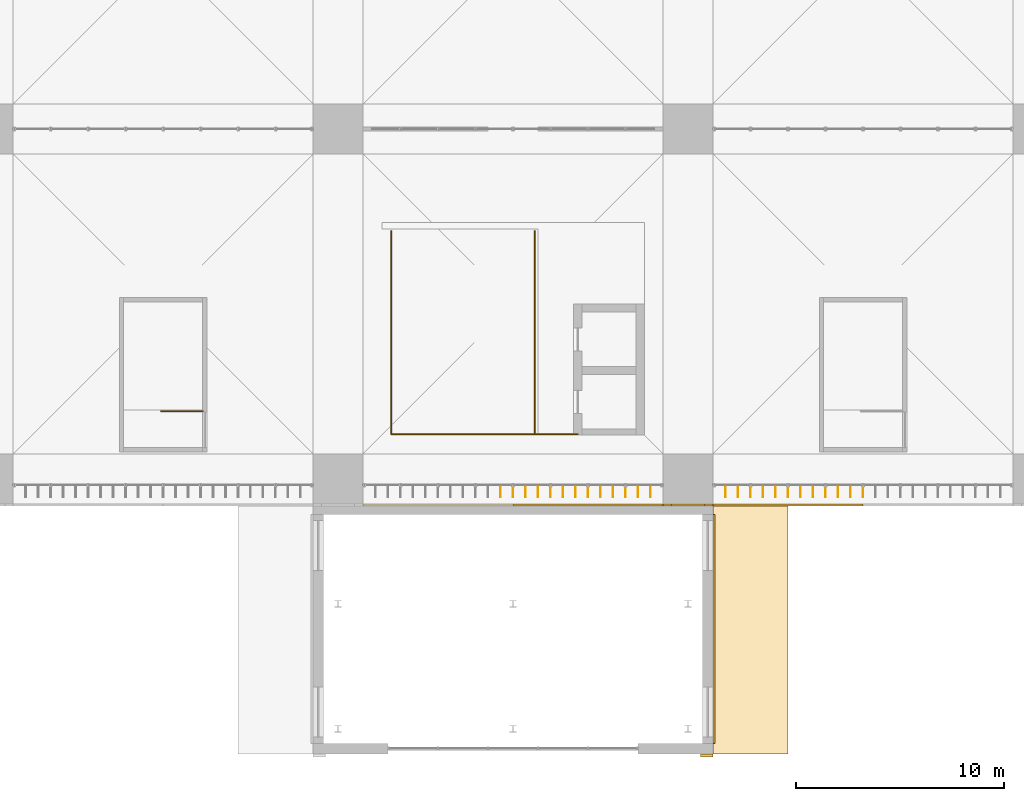
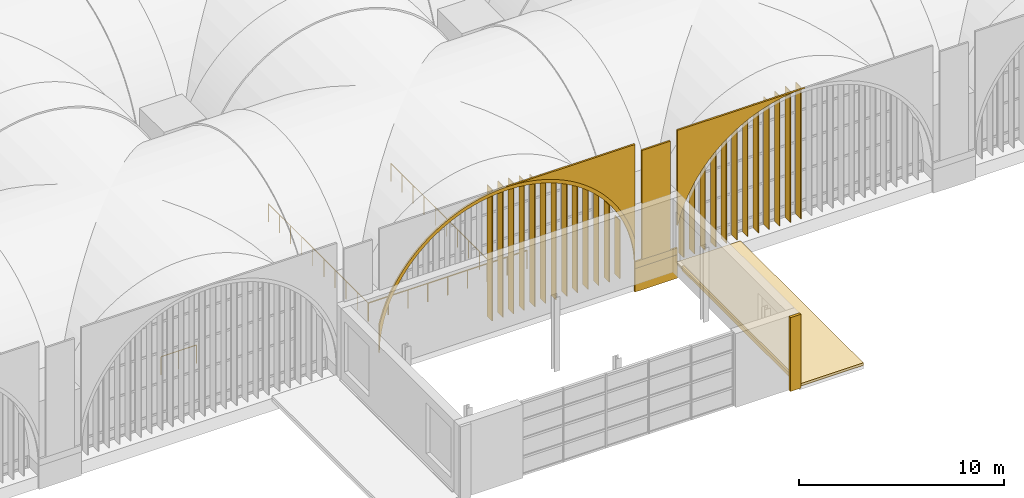
# One storey, part 154 of 169: 25 shading devices, 9 coverings, 4 railings.
"""IFC4 building model written with IfcOpenShell, lengths in metres."""

from ifc_helpers import new_model, si_unit, direction, frame, origin, origin_2d, place, context, subcontext, project, spatial, polyline, rectangle, circle, outline, extrude, material, layer, layer_set, type_object, element, save


model = new_model("IFC4")

# Units and contexts
model_context = context("Model", 3, precision=1e-05, world=origin(), true_north=direction((0.0, 1.0)))
body_context = subcontext(model_context, "Body", "Model", "MODEL_VIEW")
ifc_project = project(units=[si_unit("LENGTHUNIT", "METRE"), si_unit("AREAUNIT", "SQUARE_METRE"), si_unit("VOLUMEUNIT", "CUBIC_METRE"), si_unit("PLANEANGLEUNIT", "RADIAN"), si_unit("MASSUNIT", "GRAM", prefix="KILO")], contexts=[model_context])

# Site, building, storey
site_placement = place(None, origin())
site = spatial("IfcSite", under=ifc_project, at=site_placement, CompositionType="ELEMENT")
building_placement = place(site_placement, origin())
building = spatial("IfcBuilding", under=site, at=building_placement, Name="Verrick Yard Athletic Hall", CompositionType="ELEMENT")
storey_placement = place(building_placement, frame((0.0, 0.0, 4.39990234375)))
storey = spatial("IfcBuildingStorey", under=building, at=storey_placement, Name="L01", CompositionType="ELEMENT", Elevation=4.39990234375)

# Shading devices
ifc_material_1 = material(Name="Anodised aluminium", Category="aluminium")
ifc_layer_1 = layer(ifc_material_1, 0.0400390625)
ifc_layer_set_1 = layer_set([ifc_layer_1], Name="Arcade fin")
shading_device_type = type_object("IfcShadingDeviceType", Name="Arcade fin", PredefinedType="USERDEFINED", material=ifc_layer_set_1)
shading_device_1_placement = place(storey_placement, frame((98.199951171875, 18.82373046875, 0.0), z_axis=(0.0, 0.0, 1.0), x_axis=(0.0, -1.0, 0.0)))
element("IfcShadingDevice", 1, at=shading_device_1_placement, inside=storey, type_object=shading_device_type, Name="Fin RS4.11", ObjectType="FIN", PredefinedType="USERDEFINED", context=body_context, shape_type="SweptSolid", body=[
    extrude(outline(polyline([(0.0, 0.0), (0.5, 0.0), (0.5, 7.82275390625), (0.0, 7.82275390625), (0.0, 0.0)])), frame((0.0, 0.02001953125, 0.0), z_axis=(0.0, -1.0, 0.0), x_axis=(1.0, 0.0, 0.0)), (0.0, 0.0, 1.0), 0.0400390625),
])
shading_device_2_placement = place(storey_placement, frame((98.800048828125, 18.82373046875, 0.0), z_axis=(0.0, 0.0, 1.0), x_axis=(0.0, -1.0, 0.0)))
element("IfcShadingDevice", 2, at=shading_device_2_placement, inside=storey, type_object=shading_device_type, Name="Fin RS4.12", ObjectType="FIN", PredefinedType="USERDEFINED", context=body_context, shape_type="SweptSolid", body=[
    extrude(outline(polyline([(0.0, 0.0), (0.5, 0.0), (0.5, 7.84912109375), (0.0, 7.84912109375), (0.0, 0.0)])), frame((0.0, 0.02001953125, 0.0), z_axis=(0.0, -1.0, 0.0), x_axis=(1.0, 0.0, 0.0)), (0.0, 0.0, 1.0), 0.0400390625),
])
shading_device_3_placement = place(storey_placement, frame((99.39990234375, 18.82373046875, 0.0), z_axis=(0.0, 0.0, 1.0), x_axis=(0.0, -1.0, 0.0)))
element("IfcShadingDevice", 3, at=shading_device_3_placement, inside=storey, type_object=shading_device_type, Name="Fin RS4.13", ObjectType="FIN", PredefinedType="USERDEFINED", context=body_context, shape_type="SweptSolid", body=[
    extrude(outline(polyline([(0.0, 0.0), (0.5, 0.0), (0.5, 7.82275390625), (0.0, 7.82275390625), (0.0, 0.0)])), frame((0.0, 0.02001953125, 0.0), z_axis=(0.0, -1.0, 0.0), x_axis=(1.0, 0.0, 0.0)), (0.0, 0.0, 1.0), 0.0400390625),
])
shading_device_4_placement = place(storey_placement, frame((100.0, 18.82373046875, 0.0), z_axis=(0.0, 0.0, 1.0), x_axis=(0.0, -1.0, 0.0)))
element("IfcShadingDevice", 4, at=shading_device_4_placement, inside=storey, type_object=shading_device_type, Name="Fin RS4.14", ObjectType="FIN", PredefinedType="USERDEFINED", context=body_context, shape_type="SweptSolid", body=[
    extrude(outline(polyline([(0.0, 0.0), (0.5, 0.0), (0.5, 7.744873046875), (0.0, 7.744873046875), (0.0, 0.0)])), frame((0.0, 0.02001953125, 0.0), z_axis=(0.0, -1.0, 0.0), x_axis=(1.0, 0.0, 0.0)), (0.0, 0.0, 1.0), 0.0400390625),
])
shading_device_5_placement = place(storey_placement, frame((100.60009765625, 18.82373046875, 0.0), z_axis=(0.0, 0.0, 1.0), x_axis=(0.0, -1.0, 0.0)))
element("IfcShadingDevice", 5, at=shading_device_5_placement, inside=storey, type_object=shading_device_type, Name="Fin RS4.15", ObjectType="FIN", PredefinedType="USERDEFINED", context=body_context, shape_type="SweptSolid", body=[
    extrude(outline(polyline([(0.0, 0.0), (0.5, 0.0), (0.5, 7.614990234375), (0.0, 7.614990234375), (0.0, 0.0)])), frame((0.0, 0.02001953125, 0.0), z_axis=(0.0, -1.0, 0.0), x_axis=(1.0, 0.0, 0.0)), (0.0, 0.0, 1.0), 0.0400390625),
])
shading_device_6_placement = place(storey_placement, frame((101.199951171875, 18.82373046875, 0.0), z_axis=(0.0, 0.0, 1.0), x_axis=(0.0, -1.0, 0.0)))
element("IfcShadingDevice", 6, at=shading_device_6_placement, inside=storey, type_object=shading_device_type, Name="Fin RS4.16", ObjectType="FIN", PredefinedType="USERDEFINED", context=body_context, shape_type="SweptSolid", body=[
    extrude(outline(polyline([(0.0, 0.0), (0.5, 0.0), (0.5, 7.4296875), (0.0, 7.4296875), (0.0, 0.0)])), frame((0.0, 0.02001953125, 0.0), z_axis=(0.0, -1.0, 0.0), x_axis=(1.0, 0.0, 0.0)), (0.0, 0.0, 1.0), 0.0400390625),
])
shading_device_7_placement = place(storey_placement, frame((101.800048828125, 18.82373046875, 0.0), z_axis=(0.0, 0.0, 1.0), x_axis=(0.0, -1.0, 0.0)))
element("IfcShadingDevice", 7, at=shading_device_7_placement, inside=storey, type_object=shading_device_type, Name="Fin RS4.17", ObjectType="FIN", PredefinedType="USERDEFINED", context=body_context, shape_type="SweptSolid", body=[
    extrude(outline(polyline([(0.0, 0.0), (0.5, 0.0), (0.5, 7.18505859375), (0.0, 7.18505859375), (0.0, 0.0)])), frame((0.0, 0.02001953125, 0.0), z_axis=(0.0, -1.0, 0.0), x_axis=(1.0, 0.0, 0.0)), (0.0, 0.0, 1.0), 0.0400390625),
])
shading_device_8_placement = place(storey_placement, frame((102.39990234375, 18.82373046875, 0.0), z_axis=(0.0, 0.0, 1.0), x_axis=(0.0, -1.0, 0.0)))
element("IfcShadingDevice", 8, at=shading_device_8_placement, inside=storey, type_object=shading_device_type, Name="Fin RS4.18", ObjectType="FIN", PredefinedType="USERDEFINED", context=body_context, shape_type="SweptSolid", body=[
    extrude(outline(polyline([(0.0, 0.0), (0.5, 0.0), (0.5, 6.872802734375), (0.0, 6.872802734375), (0.0, 0.0)])), frame((0.0, 0.02001953125, 0.0), z_axis=(0.0, -1.0, 0.0), x_axis=(1.0, 0.0, 0.0)), (0.0, 0.0, 1.0), 0.0400390625),
])
shading_device_9_placement = place(storey_placement, frame((103.0, 18.82373046875, 0.0), z_axis=(0.0, 0.0, 1.0), x_axis=(0.0, -1.0, 0.0)))
element("IfcShadingDevice", 9, at=shading_device_9_placement, inside=storey, type_object=shading_device_type, Name="Fin RS4.19", ObjectType="FIN", PredefinedType="USERDEFINED", context=body_context, shape_type="SweptSolid", body=[
    extrude(outline(polyline([(0.0, 0.0), (0.5, 0.0), (0.5, 6.481201171875), (0.0, 6.481201171875), (0.0, 0.0)])), frame((0.0, 0.02001953125, 0.0), z_axis=(0.0, -1.0, 0.0), x_axis=(1.0, 0.0, 0.0)), (0.0, 0.0, 1.0), 0.0400390625),
])
shading_device_10_placement = place(storey_placement, frame((103.60009765625, 18.82373046875, 0.0), z_axis=(0.0, 0.0, 1.0), x_axis=(0.0, -1.0, 0.0)))
element("IfcShadingDevice", 10, at=shading_device_10_placement, inside=storey, type_object=shading_device_type, Name="Fin RS4.20", ObjectType="FIN", PredefinedType="USERDEFINED", context=body_context, shape_type="SweptSolid", body=[
    extrude(outline(polyline([(0.0, 0.0), (0.5, 0.0), (0.5, 5.996826171875), (0.0, 5.996826171875), (0.0, 0.0)])), frame((0.0, 0.02001953125, 0.0), z_axis=(0.0, -1.0, 0.0), x_axis=(1.0, 0.0, 0.0)), (0.0, 0.0, 1.0), 0.0400390625),
])
shading_device_11_placement = place(storey_placement, frame((104.199951171875, 18.82373046875, 0.0), z_axis=(0.0, 0.0, 1.0), x_axis=(0.0, -1.0, 0.0)))
element("IfcShadingDevice", 11, at=shading_device_11_placement, inside=storey, type_object=shading_device_type, Name="Fin RS4.21", ObjectType="FIN", PredefinedType="USERDEFINED", context=body_context, shape_type="SweptSolid", body=[
    extrude(outline(polyline([(0.0, 0.0), (0.5, 0.0), (0.5, 5.38671875), (0.0, 5.38671875), (0.0, 0.0)])), frame((0.0, 0.02001953125, 0.0), z_axis=(0.0, -1.0, 0.0), x_axis=(1.0, 0.0, 0.0)), (0.0, 0.0, 1.0), 0.0400390625),
])
shading_device_12_placement = place(storey_placement, frame((104.800048828125, 18.82373046875, 0.0), z_axis=(0.0, 0.0, 1.0), x_axis=(0.0, -1.0, 0.0)))
element("IfcShadingDevice", 12, at=shading_device_12_placement, inside=storey, type_object=shading_device_type, Name="Fin RS4.22", ObjectType="FIN", PredefinedType="USERDEFINED", context=body_context, shape_type="SweptSolid", body=[
    extrude(outline(polyline([(0.0, 0.0), (0.5, 0.0), (0.5, 4.5966796875), (0.0, 4.5966796875), (0.0, 0.0)])), frame((0.0, 0.02001953125, 0.0), z_axis=(0.0, -1.0, 0.0), x_axis=(1.0, 0.0, 0.0)), (0.0, 0.0, 1.0), 0.0400390625),
])
for number, where, z_axis, x_axis, name in (
    (13, (105.39990234375, 18.82373046875, 0.0), (0.0, 0.0, 1.0), (0.0, -1.0, 0.0), "Fin RS4.23"),
    (14, (109.0, 18.82373046875, 0.0), (0.0, 0.0, 1.0), (0.0, -1.0, 0.0), "Fin RS5.1"),
):
    element("IfcShadingDevice", number, at=place(storey_placement, frame(where, z_axis=z_axis, x_axis=x_axis)), inside=storey, type_object=shading_device_type, Name=name, ObjectType="FIN", PredefinedType="USERDEFINED", context=body_context, shape_type="SweptSolid", body=[
        extrude(outline(polyline([(0.0, 0.0), (0.5, 0.0), (0.5, 3.4775390625), (0.0, 3.4775390625), (0.0, 0.0)])), frame((0.0, 0.02001953125, 0.0), z_axis=(0.0, -1.0, 0.0), x_axis=(1.0, 0.0, 0.0)), (0.0, 0.0, 1.0), 0.0400390625),
    ])
shading_device_13_placement = place(storey_placement, frame((109.60009765625, 18.82373046875, 0.0), z_axis=(0.0, 0.0, 1.0), x_axis=(0.0, -1.0, 0.0)))
element("IfcShadingDevice", 15, at=shading_device_13_placement, inside=storey, type_object=shading_device_type, Name="Fin RS5.2", ObjectType="FIN", PredefinedType="USERDEFINED", context=body_context, shape_type="SweptSolid", body=[
    extrude(outline(polyline([(0.0, 0.0), (0.5, 0.0), (0.5, 4.5966796875), (0.0, 4.5966796875), (0.0, 0.0)])), frame((0.0, 0.02001953125, 0.0), z_axis=(0.0, -1.0, 0.0), x_axis=(1.0, 0.0, 0.0)), (0.0, 0.0, 1.0), 0.0400390625),
])
shading_device_14_placement = place(storey_placement, frame((110.199951171875, 18.82373046875, 0.0), z_axis=(0.0, 0.0, 1.0), x_axis=(0.0, -1.0, 0.0)))
element("IfcShadingDevice", 16, at=shading_device_14_placement, inside=storey, type_object=shading_device_type, Name="Fin RS5.3", ObjectType="FIN", PredefinedType="USERDEFINED", context=body_context, shape_type="SweptSolid", body=[
    extrude(outline(polyline([(0.0, 0.0), (0.5, 0.0), (0.5, 5.38671875), (0.0, 5.38671875), (0.0, 0.0)])), frame((0.0, 0.02001953125, 0.0), z_axis=(0.0, -1.0, 0.0), x_axis=(1.0, 0.0, 0.0)), (0.0, 0.0, 1.0), 0.0400390625),
])
shading_device_15_placement = place(storey_placement, frame((110.800048828125, 18.82373046875, 0.0), z_axis=(0.0, 0.0, 1.0), x_axis=(0.0, -1.0, 0.0)))
element("IfcShadingDevice", 17, at=shading_device_15_placement, inside=storey, type_object=shading_device_type, Name="Fin RS5.4", ObjectType="FIN", PredefinedType="USERDEFINED", context=body_context, shape_type="SweptSolid", body=[
    extrude(outline(polyline([(0.0, 0.0), (0.5, 0.0), (0.5, 5.996826171875), (0.0, 5.996826171875), (0.0, 0.0)])), frame((0.0, 0.02001953125, 0.0), z_axis=(0.0, -1.0, 0.0), x_axis=(1.0, 0.0, 0.0)), (0.0, 0.0, 1.0), 0.0400390625),
])
shading_device_16_placement = place(storey_placement, frame((111.39990234375, 18.82373046875, 0.0), z_axis=(0.0, 0.0, 1.0), x_axis=(0.0, -1.0, 0.0)))
element("IfcShadingDevice", 18, at=shading_device_16_placement, inside=storey, type_object=shading_device_type, Name="Fin RS5.5", ObjectType="FIN", PredefinedType="USERDEFINED", context=body_context, shape_type="SweptSolid", body=[
    extrude(outline(polyline([(0.0, 0.0), (0.5, 0.0), (0.5, 6.481201171875), (0.0, 6.481201171875), (0.0, 0.0)])), frame((0.0, 0.02001953125, 0.0), z_axis=(0.0, -1.0, 0.0), x_axis=(1.0, 0.0, 0.0)), (0.0, 0.0, 1.0), 0.0400390625),
])
shading_device_17_placement = place(storey_placement, frame((112.0, 18.82373046875, 0.0), z_axis=(0.0, 0.0, 1.0), x_axis=(0.0, -1.0, 0.0)))
element("IfcShadingDevice", 19, at=shading_device_17_placement, inside=storey, type_object=shading_device_type, Name="Fin RS5.6", ObjectType="FIN", PredefinedType="USERDEFINED", context=body_context, shape_type="SweptSolid", body=[
    extrude(outline(polyline([(0.0, 0.0), (0.5, 0.0), (0.5, 6.872802734375), (0.0, 6.872802734375), (0.0, 0.0)])), frame((0.0, 0.02001953125, 0.0), z_axis=(0.0, -1.0, 0.0), x_axis=(1.0, 0.0, 0.0)), (0.0, 0.0, 1.0), 0.0400390625),
])
shading_device_18_placement = place(storey_placement, frame((112.60009765625, 18.82373046875, 0.0), z_axis=(0.0, 0.0, 1.0), x_axis=(0.0, -1.0, 0.0)))
element("IfcShadingDevice", 20, at=shading_device_18_placement, inside=storey, type_object=shading_device_type, Name="Fin RS5.7", ObjectType="FIN", PredefinedType="USERDEFINED", context=body_context, shape_type="SweptSolid", body=[
    extrude(outline(polyline([(0.0, 0.0), (0.5, 0.0), (0.5, 7.18505859375), (0.0, 7.18505859375), (0.0, 0.0)])), frame((0.0, 0.02001953125, 0.0), z_axis=(0.0, -1.0, 0.0), x_axis=(1.0, 0.0, 0.0)), (0.0, 0.0, 1.0), 0.0400390625),
])
shading_device_19_placement = place(storey_placement, frame((113.199951171875, 18.82373046875, 0.0), z_axis=(0.0, 0.0, 1.0), x_axis=(0.0, -1.0, 0.0)))
element("IfcShadingDevice", 21, at=shading_device_19_placement, inside=storey, type_object=shading_device_type, Name="Fin RS5.8", ObjectType="FIN", PredefinedType="USERDEFINED", context=body_context, shape_type="SweptSolid", body=[
    extrude(outline(polyline([(0.0, 0.0), (0.5, 0.0), (0.5, 7.4296875), (0.0, 7.4296875), (0.0, 0.0)])), frame((0.0, 0.02001953125, 0.0), z_axis=(0.0, -1.0, 0.0), x_axis=(1.0, 0.0, 0.0)), (0.0, 0.0, 1.0), 0.0400390625),
])
shading_device_20_placement = place(storey_placement, frame((113.800048828125, 18.82373046875, 0.0), z_axis=(0.0, 0.0, 1.0), x_axis=(0.0, -1.0, 0.0)))
element("IfcShadingDevice", 22, at=shading_device_20_placement, inside=storey, type_object=shading_device_type, Name="Fin RS5.9", ObjectType="FIN", PredefinedType="USERDEFINED", context=body_context, shape_type="SweptSolid", body=[
    extrude(outline(polyline([(0.0, 0.0), (0.5, 0.0), (0.5, 7.614990234375), (0.0, 7.614990234375), (0.0, 0.0)])), frame((0.0, 0.02001953125, 0.0), z_axis=(0.0, -1.0, 0.0), x_axis=(1.0, 0.0, 0.0)), (0.0, 0.0, 1.0), 0.0400390625),
])
shading_device_21_placement = place(storey_placement, frame((114.39990234375, 18.82373046875, 0.0), z_axis=(0.0, 0.0, 1.0), x_axis=(0.0, -1.0, 0.0)))
element("IfcShadingDevice", 23, at=shading_device_21_placement, inside=storey, type_object=shading_device_type, Name="Fin RS5.10", ObjectType="FIN", PredefinedType="USERDEFINED", context=body_context, shape_type="SweptSolid", body=[
    extrude(outline(polyline([(0.0, 0.0), (0.5, 0.0), (0.5, 7.744873046875), (0.0, 7.744873046875), (0.0, 0.0)])), frame((0.0, 0.02001953125, 0.0), z_axis=(0.0, -1.0, 0.0), x_axis=(1.0, 0.0, 0.0)), (0.0, 0.0, 1.0), 0.0400390625),
])
shading_device_22_placement = place(storey_placement, frame((115.0, 18.82373046875, 0.0), z_axis=(0.0, 0.0, 1.0), x_axis=(0.0, -1.0, 0.0)))
element("IfcShadingDevice", 24, at=shading_device_22_placement, inside=storey, type_object=shading_device_type, Name="Fin RS5.11", ObjectType="FIN", PredefinedType="USERDEFINED", context=body_context, shape_type="SweptSolid", body=[
    extrude(outline(polyline([(0.0, 0.0), (0.5, 0.0), (0.5, 7.82275390625), (0.0, 7.82275390625), (0.0, 0.0)])), frame((0.0, 0.02001953125, 0.0), z_axis=(0.0, -1.0, 0.0), x_axis=(1.0, 0.0, 0.0)), (0.0, 0.0, 1.0), 0.0400390625),
])
shading_device_23_placement = place(storey_placement, frame((115.60009765625, 18.82373046875, 0.0), z_axis=(0.0, 0.0, 1.0), x_axis=(0.0, -1.0, 0.0)))
element("IfcShadingDevice", 25, at=shading_device_23_placement, inside=storey, type_object=shading_device_type, Name="Fin RS5.12", ObjectType="FIN", PredefinedType="USERDEFINED", context=body_context, shape_type="SweptSolid", body=[
    extrude(outline(polyline([(0.0, 0.0), (0.5, 0.0), (0.5, 7.84912109375), (0.0, 7.84912109375), (0.0, 0.0)])), frame((0.0, 0.02001953125, 0.0), z_axis=(0.0, -1.0, 0.0), x_axis=(1.0, 0.0, 0.0)), (0.0, 0.0, 1.0), 0.0400390625),
])

# Coverings
ifc_material_2 = material(Name="Limestone cladding", Category="masonry")
ifc_layer_2 = layer(ifc_material_2, 0.10009765625)
ifc_layer_set_2 = layer_set([ifc_layer_2], Name="Arch ring cladding")
covering_type_1 = type_object("IfcCoveringType", Name="Arch ring cladding", PredefinedType="CLADDING", material=ifc_layer_set_2)
covering_1_placement = place(storey_placement, frame((91.60009765625, 17.949951171875, 0.650146484375), z_axis=(0.0, 0.0, 1.0), x_axis=(1.0, 0.0, 0.0)))
element("IfcCovering", 26, at=covering_1_placement, inside=storey, type_object=covering_type_1, Name="Arch ring RS4", PredefinedType="CLADDING", context=body_context, shape_type="SweptSolid", body=[
    extrude(outline(polyline([(0.0, 1.7021484375), (0.0, 0.0), (0.0068359375, 0.31396484375), (0.02734375, 0.62744140625), (0.0615234375, 0.939697265625), (0.109375, 1.250244140625), (0.170654296875, 1.558349609375), (0.245361328125, 1.863525390625), (0.333251953125, 2.1650390625), (0.43408203125, 2.46240234375), (0.548095703125, 2.75537109375), (0.674560546875, 3.04296875), (0.8134765625, 3.324462890625), (0.964599609375, 3.599853515625), (1.127685546875, 3.86865234375), (1.302001953125, 4.129638671875), (1.48779296875, 4.383056640625), (1.6845703125, 4.6279296875), (1.8916015625, 4.8642578125), (2.10888671875, 5.091064453125), (2.335693359375, 5.308349609375), (2.572021484375, 5.515380859375), (2.81689453125, 5.712158203125), (3.0703125, 5.89794921875), (3.331298828125, 6.072265625), (3.60009765625, 6.2353515625), (3.87548828125, 6.386474609375), (4.156982421875, 6.525390625), (4.444580078125, 6.65185546875), (4.737548828125, 6.765869140625), (5.034912109375, 6.86669921875), (5.33642578125, 6.95458984375), (5.6416015625, 7.029296875), (5.94970703125, 7.090576171875), (6.26025390625, 7.138427734375), (6.572509765625, 7.172607421875), (6.885986328125, 7.193115234375), (7.199951171875, 7.199951171875), (7.51416015625, 7.193115234375), (7.827392578125, 7.172607421875), (8.139892578125, 7.138427734375), (8.4501953125, 7.090576171875), (8.75830078125, 7.029296875), (9.0634765625, 6.95458984375), (9.364990234375, 6.86669921875), (9.66259765625, 6.765869140625), (9.955322265625, 6.65185546875), (10.242919921875, 6.525390625), (10.524658203125, 6.386474609375), (10.800048828125, 6.2353515625), (11.068603515625, 6.072265625), (11.329833984375, 5.89794921875), (11.5830078125, 5.712158203125), (11.828125, 5.515380859375), (12.064208984375, 5.308349609375), (12.291259765625, 5.091064453125), (12.50830078125, 4.8642578125), (12.715576171875, 4.6279296875), (12.912109375, 4.383056640625), (13.097900390625, 4.129638671875), (13.2724609375, 3.86865234375), (13.435302734375, 3.599853515625), (13.58642578125, 3.324462890625), (13.725341796875, 3.04296875), (13.851806640625, 2.75537109375), (13.9658203125, 2.46240234375), (14.06689453125, 2.1650390625), (14.15478515625, 1.863525390625), (14.229248046875, 1.558349609375), (14.29052734375, 1.250244140625), (14.33837890625, 0.939697265625), (14.37255859375, 0.62744140625), (14.39306640625, 0.31396484375), (14.39990234375, 0.0), (14.39990234375, 1.7021484375), (14.347900390625, 1.915283203125), (14.257568359375, 2.22509765625), (14.15380859375, 2.53076171875), (14.03662109375, 2.831787109375), (13.90673828125, 3.12744140625), (13.763916015625, 3.416748046875), (13.608642578125, 3.699951171875), (13.441162109375, 3.975830078125), (13.26171875, 4.244384765625), (13.07080078125, 4.504638671875), (12.86865234375, 4.756591796875), (12.656005859375, 4.999267578125), (12.4326171875, 5.232666015625), (12.199462890625, 5.455810546875), (11.95654296875, 5.668701171875), (11.704833984375, 5.870849609375), (11.444580078125, 6.061767578125), (11.176025390625, 6.240966796875), (10.89990234375, 6.408447265625), (10.616943359375, 6.56396484375), (10.327392578125, 6.70654296875), (10.031982421875, 6.836669921875), (9.73095703125, 6.95361328125), (9.42529296875, 7.057373046875), (9.115234375, 7.14794921875), (8.8017578125, 7.224609375), (8.485107421875, 7.28759765625), (8.166015625, 7.336669921875), (7.844970703125, 7.371826171875), (7.522705078125, 7.39306640625), (7.199951171875, 7.39990234375), (6.877197265625, 7.39306640625), (6.554931640625, 7.371826171875), (6.234130859375, 7.336669921875), (5.9150390625, 7.28759765625), (5.598388671875, 7.224609375), (5.28466796875, 7.14794921875), (4.974853515625, 7.057373046875), (4.669189453125, 6.95361328125), (4.3681640625, 6.836669921875), (4.072509765625, 6.70654296875), (3.783203125, 6.56396484375), (3.5, 6.408447265625), (3.22412109375, 6.240966796875), (2.95556640625, 6.061767578125), (2.6953125, 5.870849609375), (2.443359375, 5.668701171875), (2.20068359375, 5.455810546875), (1.96728515625, 5.232666015625), (1.744140625, 4.999267578125), (1.53125, 4.756591796875), (1.3291015625, 4.504638671875), (1.13818359375, 4.244384765625), (0.958984375, 3.975830078125), (0.79150390625, 3.699951171875), (0.635986328125, 3.416748046875), (0.493408203125, 3.12744140625), (0.36328125, 2.831787109375), (0.246337890625, 2.53076171875), (0.142578125, 2.22509765625), (0.052001953125, 1.915283203125), (0.0, 1.7021484375)])), frame((0.0, 0.050048828125, 0.0), z_axis=(0.0, -1.0, 0.0), x_axis=(1.0, 0.0, 0.0)), (0.0, 0.0, 1.0), 0.10009765625),
])
ifc_material_3 = material(Name="Planted growing medium")
ifc_layer_3 = layer(ifc_material_3, 0.300048828125)
ifc_layer_set_3 = layer_set([ifc_layer_3], Name="Green roof soil")
covering_type_2 = type_object("IfcCoveringType", Name="Green roof soil", PredefinedType="FLOORING", material=ifc_layer_set_3)
covering_2_placement = place(storey_placement, origin())
element("IfcCovering", 27, at=covering_2_placement, inside=storey, type_object=covering_type_2, Name="Lean-to green roof E", PredefinedType="FLOORING", context=body_context, shape_type="SweptSolid", body=[
    extrude(outline(polyline([(108.39990234375, 6.0), (112.0, 6.0), (112.0, 18.0), (108.39990234375, 18.0), (108.39990234375, 6.0)])), origin(), (0.0, 0.0, 1.0), 0.150146484375),
])
ifc_layer_4 = layer(ifc_material_2, 0.10009765625)
ifc_layer_set_4 = layer_set([ifc_layer_4], Name="Impost and capital moulding")
covering_type_3 = type_object("IfcCoveringType", Name="Impost and capital moulding", PredefinedType="MOLDING", material=ifc_layer_set_4)
covering_3_placement = place(storey_placement, frame((107.199951171875, 17.949951171875, 0.650146484375), z_axis=(0.0, 0.0, 1.0), x_axis=(1.0, 0.0, 0.0)))
element("IfcCovering", 28, at=covering_3_placement, inside=storey, type_object=covering_type_3, Name="Impost S5", PredefinedType="MOLDING", context=body_context, shape_type="SweptSolid", body=[
    extrude(rectangle(XDim=2.39990234375, YDim=0.10009765625, at=origin_2d()), origin(), (0.0, 0.0, 1.0), 0.39990234375),
])
ifc_material_4 = material(Name="Rusticated limestone cladding", Category="masonry")
ifc_layer_5 = layer(ifc_material_4, 0.10009765625)
ifc_layer_set_5 = layer_set([ifc_layer_5], Name="Pier base cladding")
covering_type_4 = type_object("IfcCoveringType", Name="Pier base cladding", PredefinedType="CLADDING", material=ifc_layer_set_5)
covering_4_placement = place(storey_placement, frame((107.199951171875, 17.949951171875, -0.749755859375), z_axis=(0.0, 0.0, 1.0), x_axis=(1.0, 0.0, 0.0)))
element("IfcCovering", 29, at=covering_4_placement, inside=storey, type_object=covering_type_4, Name="Pier string S5", PredefinedType="CLADDING", context=body_context, shape_type="SweptSolid", body=[
    extrude(rectangle(XDim=2.39990234375, YDim=0.10009765625, at=origin_2d()), origin(), (0.0, 0.0, 1.0), 1.39990234375),
])
ifc_layer_6 = layer(ifc_material_2, 0.10009765625)
ifc_layer_set_6 = layer_set([ifc_layer_6], Name="Pilaster cladding")
covering_type_5 = type_object("IfcCoveringType", Name="Pilaster cladding", PredefinedType="CLADDING", material=ifc_layer_set_6)
covering_5_placement = place(storey_placement, frame((107.199951171875, 17.949951171875, 1.050048828125), z_axis=(0.0, 0.0, 1.0), x_axis=(1.0, 0.0, 0.0)))
element("IfcCovering", 30, at=covering_5_placement, inside=storey, type_object=covering_type_5, Name="Pilaster S5", PredefinedType="CLADDING", context=body_context, shape_type="SweptSolid", body=[
    extrude(rectangle(XDim=1.60009765625, YDim=0.10009765625, at=origin_2d()), origin(), (0.0, 0.0, 1.0), 6.5),
])
ifc_layer_7 = layer(ifc_material_2, 0.10009765625)
ifc_layer_set_7 = layer_set([ifc_layer_7], Name="Spandrel cladding")
covering_type_6 = type_object("IfcCoveringType", Name="Spandrel cladding", PredefinedType="CLADDING", material=ifc_layer_set_7)
covering_6_placement = place(storey_placement, frame((91.60009765625, 17.949951171875, 2.352294921875), z_axis=(0.0, 0.0, 1.0), x_axis=(1.0, 0.0, 0.0)))
element("IfcCovering", 31, at=covering_6_placement, inside=storey, type_object=covering_type_6, Name="Spandrel RS4.2", PredefinedType="CLADDING", context=body_context, shape_type="SweptSolid", body=[
    extrude(outline(polyline([(7.199951171875, 5.69775390625), (7.522705078125, 5.69091796875), (7.844970703125, 5.669677734375), (8.166015625, 5.634521484375), (8.485107421875, 5.58544921875), (8.8017578125, 5.5224609375), (9.115234375, 5.44580078125), (9.42529296875, 5.355224609375), (9.73095703125, 5.25146484375), (10.031982421875, 5.134521484375), (10.327392578125, 5.00439453125), (10.616943359375, 4.86181640625), (10.89990234375, 4.706298828125), (11.176025390625, 4.538818359375), (11.444580078125, 4.359619140625), (11.704833984375, 4.168701171875), (11.95654296875, 3.966552734375), (12.199462890625, 3.753662109375), (12.4326171875, 3.530517578125), (12.656005859375, 3.297119140625), (12.86865234375, 3.054443359375), (13.07080078125, 2.802490234375), (13.26171875, 2.542236328125), (13.441162109375, 2.273681640625), (13.608642578125, 1.997802734375), (13.763916015625, 1.714599609375), (13.90673828125, 1.42529296875), (14.03662109375, 1.129638671875), (14.15380859375, 0.82861328125), (14.257568359375, 0.52294921875), (14.347900390625, 0.213134765625), (14.39990234375, 0.0), (14.39990234375, 5.69775390625), (7.199951171875, 5.69775390625)])), frame((0.0, 0.050048828125, 0.0), z_axis=(0.0, -1.0, 0.0), x_axis=(1.0, 0.0, 0.0)), (0.0, 0.0, 1.0), 0.10009765625),
])
covering_7_placement = place(storey_placement, frame((108.39990234375, 17.949951171875, 2.352294921875), z_axis=(0.0, 0.0, 1.0), x_axis=(1.0, 0.0, 0.0)))
element("IfcCovering", 32, at=covering_7_placement, inside=storey, type_object=covering_type_6, Name="Spandrel RS5.1", PredefinedType="CLADDING", context=body_context, shape_type="SweptSolid", body=[
    extrude(outline(polyline([(0.0, 0.0), (0.052001953125, 0.213134765625), (0.142578125, 0.52294921875), (0.246337890625, 0.82861328125), (0.36328125, 1.129638671875), (0.493408203125, 1.42529296875), (0.635986328125, 1.714599609375), (0.79150390625, 1.997802734375), (0.958984375, 2.273681640625), (1.13818359375, 2.542236328125), (1.3291015625, 2.802490234375), (1.53125, 3.054443359375), (1.744140625, 3.297119140625), (1.96728515625, 3.530517578125), (2.20068359375, 3.753662109375), (2.443359375, 3.966552734375), (2.6953125, 4.168701171875), (2.95556640625, 4.359619140625), (3.22412109375, 4.538818359375), (3.5, 4.706298828125), (3.783203125, 4.86181640625), (4.072509765625, 5.00439453125), (4.3681640625, 5.134521484375), (4.669189453125, 5.25146484375), (4.974853515625, 5.355224609375), (5.28466796875, 5.44580078125), (5.598388671875, 5.5224609375), (5.9150390625, 5.58544921875), (6.234130859375, 5.634521484375), (6.554931640625, 5.669677734375), (6.877197265625, 5.69091796875), (7.199951171875, 5.69775390625), (0.0, 5.69775390625), (0.0, 0.0)])), frame((0.0, 0.050048828125, 0.0), z_axis=(0.0, -1.0, 0.0), x_axis=(1.0, 0.0, 0.0)), (0.0, 0.0, 1.0), 0.10009765625),
])

# Railings
ifc_material_5 = material(Name="Stainless steel", Category="steel")
railing_type = type_object("IfcRailingType", Name="Stair and core guard 1100", PredefinedType="GUARDRAIL", material=ifc_material_5)
railing_1_placement = place(storey_placement, frame((83.89990234375, 22.449951171875, 0.0)))
element("IfcRailing", 33, at=railing_1_placement, inside=storey, type_object=railing_type, Name="L01 South plinth exit 2 top well guard 1", PredefinedType="GUARDRAIL", context=body_context, shape_type="SweptSolid", body=[
    extrude(circle(Radius=0.02392578125, at=origin_2d()), frame((0.0, 0.0, 1.076171875), z_axis=(-1.0, 0.0, 0.0), x_axis=(0.0, -1.0, 0.0)), (0.0, 0.0, 1.0), 2.0),
    extrude(circle(Radius=0.02099609375, at=origin_2d()), origin(), (0.0, 0.0, 1.0), 1.052001953125),
    extrude(circle(Radius=0.02099609375, at=origin_2d()), frame((-1.0, 0.0, 0.0)), (0.0, 0.0, 1.0), 1.052001953125),
    extrude(circle(Radius=0.02099609375, at=origin_2d()), frame((-2.0, 0.0, 0.0)), (0.0, 0.0, 1.0), 1.052001953125),
])
railing_2_placement = place(storey_placement, frame((92.949951171875, 21.35009765625, 0.0)))
element("IfcRailing", 34, at=railing_2_placement, inside=storey, type_object=railing_type, Name="Foyer opening guard", PredefinedType="GUARDRAIL", context=body_context, shape_type="SweptSolid", body=[
    extrude(circle(Radius=0.02392578125, at=origin_2d()), frame((0.0, 0.0, 1.076171875), z_axis=(1.0, 0.0, 0.0), x_axis=(0.0, 1.0, 0.0)), (0.0, 0.0, 1.0), 8.949951171875),
    extrude(circle(Radius=0.02099609375, at=origin_2d()), origin(), (0.0, 0.0, 1.0), 1.052001953125),
    extrude(circle(Radius=0.02099609375, at=origin_2d()), frame((1.11865234375, 0.0, 0.0)), (0.0, 0.0, 1.0), 1.052001953125),
    extrude(circle(Radius=0.02099609375, at=origin_2d()), frame((2.237548828125, 0.0, 0.0)), (0.0, 0.0, 1.0), 1.052001953125),
    extrude(circle(Radius=0.02099609375, at=origin_2d()), frame((3.356201171875, 0.0, 0.0)), (0.0, 0.0, 1.0), 1.052001953125),
    extrude(circle(Radius=0.02099609375, at=origin_2d()), frame((4.47509765625, 0.0, 0.0)), (0.0, 0.0, 1.0), 1.052001953125),
    extrude(circle(Radius=0.02099609375, at=origin_2d()), frame((5.59375, 0.0, 0.0)), (0.0, 0.0, 1.0), 1.052001953125),
    extrude(circle(Radius=0.02099609375, at=origin_2d()), frame((6.71240234375, 0.0, 0.0)), (0.0, 0.0, 1.0), 1.052001953125),
    extrude(circle(Radius=0.02099609375, at=origin_2d()), frame((7.831298828125, 0.0, 0.0)), (0.0, 0.0, 1.0), 1.052001953125),
    extrude(circle(Radius=0.02099609375, at=origin_2d()), frame((8.949951171875, 0.0, 0.0)), (0.0, 0.0, 1.0), 1.052001953125),
])
for number, where, name in (
    (35, (92.949951171875, 21.35009765625, 0.0), "Foyer opening guard"),
    (36, (99.85009765625, 21.35009765625, 0.0), "Foyer opening guard"),
):
    element("IfcRailing", number, at=place(storey_placement, frame(where)), inside=storey, type_object=railing_type, Name=name, PredefinedType="GUARDRAIL", context=body_context, shape_type="SweptSolid", body=[
        extrude(circle(Radius=0.02392578125, at=origin_2d()), frame((0.0, 0.0, 1.076171875), z_axis=(0.0, 1.0, 0.0), x_axis=(-1.0, 0.0, 0.0)), (0.0, 0.0, 1.0), 9.75),
        extrude(circle(Radius=0.02099609375, at=origin_2d()), origin(), (0.0, 0.0, 1.0), 1.052001953125),
        extrude(circle(Radius=0.02099609375, at=origin_2d()), frame((0.0, 1.083251953125, 0.0)), (0.0, 0.0, 1.0), 1.052001953125),
        extrude(circle(Radius=0.02099609375, at=origin_2d()), frame((0.0, 2.166748046875, 0.0)), (0.0, 0.0, 1.0), 1.052001953125),
        extrude(circle(Radius=0.02099609375, at=origin_2d()), frame((0.0, 3.25, 0.0)), (0.0, 0.0, 1.0), 1.052001953125),
        extrude(circle(Radius=0.02099609375, at=origin_2d()), frame((0.0, 4.333251953125, 0.0)), (0.0, 0.0, 1.0), 1.052001953125),
        extrude(circle(Radius=0.02099609375, at=origin_2d()), frame((0.0, 5.416748046875, 0.0)), (0.0, 0.0, 1.0), 1.052001953125),
        extrude(circle(Radius=0.02099609375, at=origin_2d()), frame((0.0, 6.5, 0.0)), (0.0, 0.0, 1.0), 1.052001953125),
        extrude(circle(Radius=0.02099609375, at=origin_2d()), frame((0.0, 7.583251953125, 0.0)), (0.0, 0.0, 1.0), 1.052001953125),
        extrude(circle(Radius=0.02099609375, at=origin_2d()), frame((0.0, 8.666748046875, 0.0)), (0.0, 0.0, 1.0), 1.052001953125),
        extrude(circle(Radius=0.02099609375, at=origin_2d()), frame((0.0, 9.75, 0.0)), (0.0, 0.0, 1.0), 1.052001953125),
    ])

# Coverings
ifc_material_6 = material(Name="Tyndall-stone-look precast cladding", Category="masonry")
ifc_layer_8 = layer(ifc_material_6, 0.125)
ifc_layer_set_8 = layer_set([ifc_layer_8], Name="Stone cladding")
covering_type_7 = type_object("IfcCoveringType", Name="Stone cladding", PredefinedType="CLADDING", material=ifc_layer_set_8)
covering_8_placement = place(storey_placement, frame((108.10009765625, 5.925048828125, 0.000244140625), z_axis=(0.0, 0.0, 1.0), x_axis=(1.0, 0.0, 0.0)))
element("IfcCovering", 37, at=covering_8_placement, inside=storey, type_object=covering_type_7, Name="Foyer giant pilaster", PredefinedType="CLADDING", context=body_context, shape_type="SweptSolid", body=[
    extrude(rectangle(XDim=0.60009765625, YDim=0.14990234375, at=origin_2d()), origin(), (0.0, 0.0, 1.0), 4.39990234375),
])
ifc_layer_9 = layer(ifc_material_6, 0.25)
ifc_layer_set_9 = layer_set([ifc_layer_9], Name="Stone moulding")
covering_type_8 = type_object("IfcCoveringType", Name="Stone moulding", PredefinedType="MOLDING", material=ifc_layer_set_9)
covering_9_placement = place(storey_placement, frame((108.449951171875, 12.0, -0.0498046875), z_axis=(0.0, 0.0, 1.0), x_axis=(0.0, 1.0, 0.0)))
element("IfcCovering", 38, at=covering_9_placement, inside=storey, type_object=covering_type_8, Name="String course", PredefinedType="MOLDING", context=body_context, shape_type="SweptSolid", body=[
    extrude(rectangle(XDim=11.0, YDim=0.10009765625, at=origin_2d()), origin(), (0.0, 0.0, 1.0), 0.25),
])

save(model, "model.ifc")
